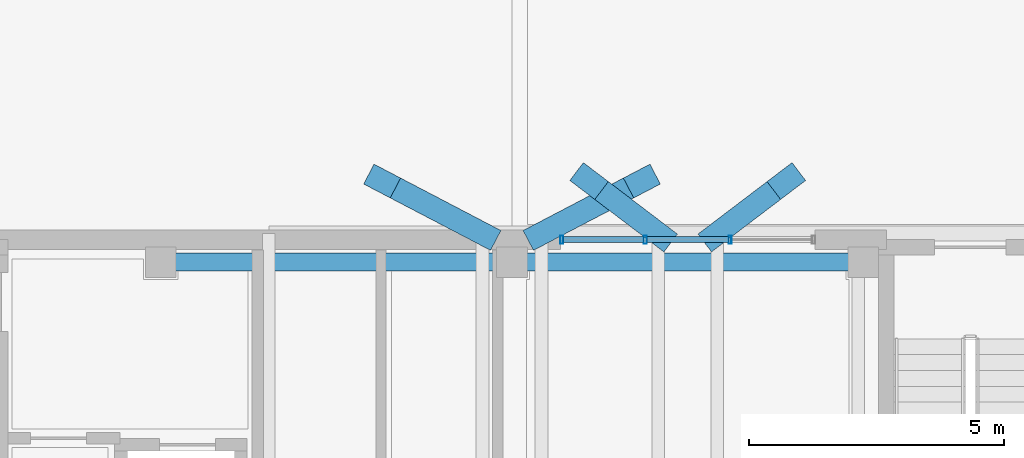
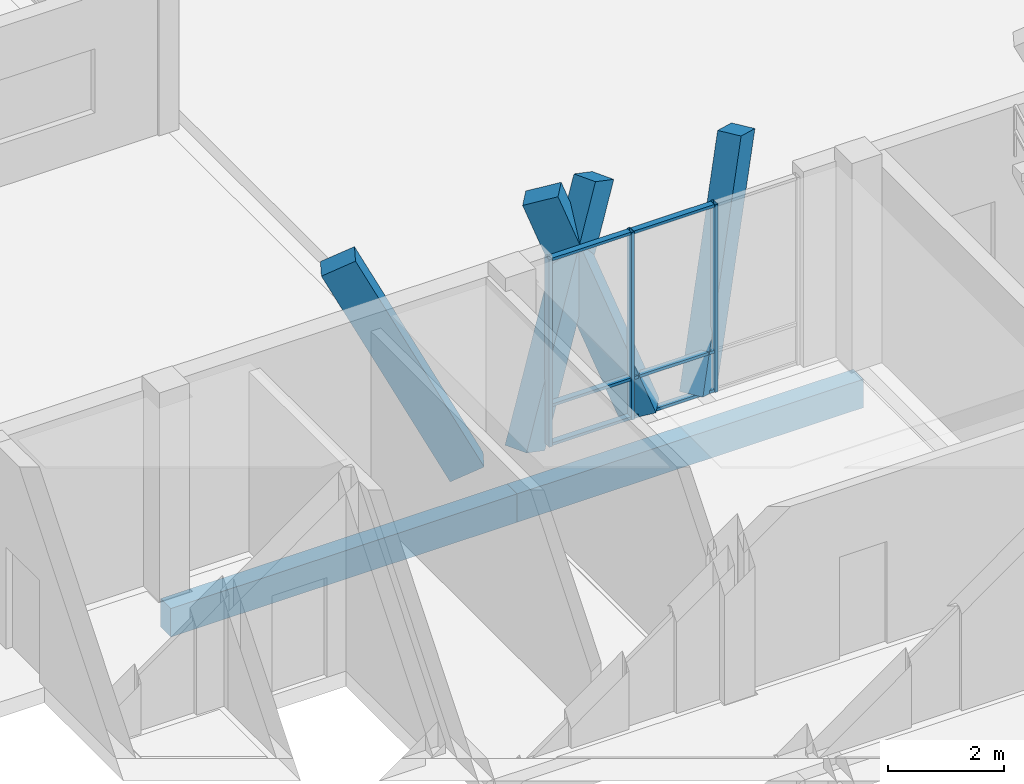
# One storey, part 31 of 233: 13 members, 2 beams, 1 element without a shape of its own.
"""IFC4 building model written with IfcOpenShell, lengths in metres."""

from ifc_helpers import new_model, si_unit, direction, frame, origin, origin_2d, place, context, subcontext, project, spatial, rectangle, hollow_rectangle, extrude, material, material_profile, profile_set, type_object, element, aggregate, save


model = new_model("IFC4")

# Units and contexts
model_context = context("Model", 3, precision=1e-05, world=origin(), true_north=direction((0.0, 1.0)))
body_context = subcontext(model_context, "Body", "Model", "MODEL_VIEW")
ifc_project = project(units=[si_unit("LENGTHUNIT", "METRE"), si_unit("AREAUNIT", "SQUARE_METRE"), si_unit("VOLUMEUNIT", "CUBIC_METRE"), si_unit("PLANEANGLEUNIT", "RADIAN"), si_unit("MASSUNIT", "GRAM", prefix="KILO")], contexts=[model_context])

# Site, building, storey
site_placement = place(None, origin())
site = spatial("IfcSite", under=ifc_project, at=site_placement, CompositionType="ELEMENT")
building_placement = place(site_placement, origin())
building = spatial("IfcBuilding", under=site, at=building_placement, Name="Zavelmont Quarter", CompositionType="ELEMENT")
storey_placement = place(building_placement, origin())
storey = spatial("IfcBuildingStorey", under=building, at=storey_placement, Name="L00", CompositionType="ELEMENT", Elevation=0.0)

# Beams
ifc_material_1 = material(Name="Concrete C35/45", Category="concrete")
ifc_material_profile_1 = material_profile(ifc_material_1, rectangle(XDim=0.35009765625, YDim=0.60009765625, at=origin_2d()), Name="RC350X600")
ifc_profile_set_1 = profile_set([ifc_material_profile_1], Name="Concrete C35/45")
beam_type = type_object("IfcBeamType", Name="BM01", PredefinedType="SPANDREL", material=ifc_profile_set_1)
beam_1_placement = place(storey_placement, frame((13.800048828125, 17.9599609375, -0.6201171875), z_axis=(1.0, 0.0, 0.0), x_axis=(0.0, 1.0, 0.0)))
element("IfcBeam", 1, at=beam_1_placement, inside=storey, type_object=beam_type, Name="L00 beam BM01 3/D to 4/D", PredefinedType="SPANDREL", context=body_context, shape_type="SweptSolid", body=[
    extrude(rectangle(XDim=0.35009765625, YDim=0.60009765625, at=origin_2d()), origin(), (0.0, 0.0, 1.0), 6.89990234375),
])
beam_2_placement = place(storey_placement, frame((20.699951171875, 17.9599609375, -0.6201171875), z_axis=(1.0, 0.0, 0.0), x_axis=(0.0, 1.0, 0.0)))
element("IfcBeam", 2, at=beam_2_placement, inside=storey, type_object=beam_type, Name="L00 beam BM01 4/D to 5/D", PredefinedType="SPANDREL", context=body_context, shape_type="SweptSolid", body=[
    extrude(rectangle(XDim=0.35009765625, YDim=0.60009765625, at=origin_2d()), origin(), (0.0, 0.0, 1.0), 6.900146484375),
])

# Curtain wall, members
ifc_material_2 = material(Name="Thermally broken aluminium and double low-E safety glazing", Category="aluminium")
curtain_wall_type = type_object("IfcCurtainWallType", Name="CW-500X395", PredefinedType="NOTDEFINED", material=ifc_material_2)
curtain_wall_placement = place(storey_placement, origin())
curtain_wall = element("IfcCurtainWall", 3, at=curtain_wall_placement, inside=storey, type_object=curtain_wall_type, Name="L00 unitised curtain wall CW-500X395", PredefinedType="NOTDEFINED")
ifc_material_3 = material(Name="Powder-coated aluminium EN AW-6063-T6", Category="aluminium")
ifc_material_profile_2 = material_profile(ifc_material_3, hollow_rectangle(XDim=0.06005859375, YDim=0.159912109375, WallThickness=0.00390625, at=origin_2d()), Name="CWM60X160")
ifc_profile_set_2 = profile_set([ifc_material_profile_2], Name="Powder-coated aluminium EN AW-6063-T6")
member_type_1 = type_object("IfcMemberType", Name="CWM01", PredefinedType="MULLION", material=ifc_profile_set_2)
member_1_placement = place(storey_placement, frame((21.679931640625, 18.39990234375, 0.0), z_axis=(0.0, 0.0, 1.0), x_axis=(1.0, 0.0, 0.0)))
member_1 = element("IfcMember", 4, at=member_1_placement, type_object=member_type_1, Name="CW-500X395 mullion 1", PredefinedType="MULLION", context=body_context, shape_type="SweptSolid", body=[
    extrude(hollow_rectangle(XDim=0.06005859375, YDim=0.159912109375, WallThickness=0.00390625, at=origin_2d()), origin(), (0.0, 0.0, 1.0), 3.949951171875),
])
member_2_placement = place(storey_placement, frame((23.316650390625, 18.39990234375, 0.0), z_axis=(0.0, 0.0, 1.0), x_axis=(1.0, 0.0, 0.0)))
member_2 = element("IfcMember", 5, at=member_2_placement, type_object=member_type_1, Name="CW-500X395 mullion 2", PredefinedType="MULLION", context=body_context, shape_type="SweptSolid", body=[
    extrude(hollow_rectangle(XDim=0.06005859375, YDim=0.159912109375, WallThickness=0.00390625, at=origin_2d()), origin(), (0.0, 0.0, 1.0), 3.949951171875),
])
member_3_placement = place(storey_placement, frame((24.9833984375, 18.39990234375, 0.0), z_axis=(0.0, 0.0, 1.0), x_axis=(1.0, 0.0, 0.0)))
member_3 = element("IfcMember", 6, at=member_3_placement, type_object=member_type_1, Name="CW-500X395 mullion 3", PredefinedType="MULLION", context=body_context, shape_type="SweptSolid", body=[
    extrude(hollow_rectangle(XDim=0.06005859375, YDim=0.159912109375, WallThickness=0.00390625, at=origin_2d()), origin(), (0.0, 0.0, 1.0), 3.949951171875),
])
ifc_material_profile_3 = material_profile(ifc_material_3, hollow_rectangle(XDim=0.1201171875, YDim=0.06005859375, WallThickness=0.00390625, at=origin_2d()), Name="CWT60X120")
ifc_profile_set_3 = profile_set([ifc_material_profile_3], Name="Powder-coated aluminium EN AW-6063-T6")
member_type_2 = type_object("IfcMemberType", Name="CWT01", PredefinedType="NOTDEFINED", material=ifc_profile_set_3)
member_4_placement = place(storey_placement, frame((21.7099609375, 18.39990234375, 0.030029296875), z_axis=(1.0, 0.0, 0.0), x_axis=(0.0, 1.0, 0.0)))
member_4 = element("IfcMember", 7, at=member_4_placement, type_object=member_type_2, Name="CW-500X395 transom 1.1", ObjectType="TRANSOM", PredefinedType="USERDEFINED", context=body_context, shape_type="SweptSolid", body=[
    extrude(hollow_rectangle(XDim=0.1201171875, YDim=0.06005859375, WallThickness=0.00390625, at=origin_2d()), origin(), (0.0, 0.0, 1.0), 1.57666015625),
])
member_5_placement = place(storey_placement, frame((21.7099609375, 18.39990234375, 0.85009765625), z_axis=(1.0, 0.0, 0.0), x_axis=(0.0, 1.0, 0.0)))
member_5 = element("IfcMember", 8, at=member_5_placement, type_object=member_type_2, Name="CW-500X395 transom 1.2", ObjectType="TRANSOM", PredefinedType="USERDEFINED", context=body_context, shape_type="SweptSolid", body=[
    extrude(hollow_rectangle(XDim=0.1201171875, YDim=0.06005859375, WallThickness=0.00390625, at=origin_2d()), origin(), (0.0, 0.0, 1.0), 1.57666015625),
])
member_6_placement = place(storey_placement, frame((21.7099609375, 18.39990234375, 3.919921875), z_axis=(1.0, 0.0, 0.0), x_axis=(0.0, 1.0, 0.0)))
member_6 = element("IfcMember", 9, at=member_6_placement, type_object=member_type_2, Name="CW-500X395 transom 1.3", ObjectType="TRANSOM", PredefinedType="USERDEFINED", context=body_context, shape_type="SweptSolid", body=[
    extrude(hollow_rectangle(XDim=0.1201171875, YDim=0.06005859375, WallThickness=0.00390625, at=origin_2d()), origin(), (0.0, 0.0, 1.0), 1.57666015625),
])
member_7_placement = place(storey_placement, frame((23.3466796875, 18.39990234375, 0.030029296875), z_axis=(1.0, 0.0, 0.0), x_axis=(0.0, 1.0, 0.0)))
member_7 = element("IfcMember", 10, at=member_7_placement, type_object=member_type_2, Name="CW-500X395 transom 2.1", ObjectType="TRANSOM", PredefinedType="USERDEFINED", context=body_context, shape_type="SweptSolid", body=[
    extrude(hollow_rectangle(XDim=0.1201171875, YDim=0.06005859375, WallThickness=0.00390625, at=origin_2d()), origin(), (0.0, 0.0, 1.0), 1.606689453125),
])
member_8_placement = place(storey_placement, frame((23.3466796875, 18.39990234375, 0.85009765625), z_axis=(1.0, 0.0, 0.0), x_axis=(0.0, 1.0, 0.0)))
member_8 = element("IfcMember", 11, at=member_8_placement, type_object=member_type_2, Name="CW-500X395 transom 2.2", ObjectType="TRANSOM", PredefinedType="USERDEFINED", context=body_context, shape_type="SweptSolid", body=[
    extrude(hollow_rectangle(XDim=0.1201171875, YDim=0.06005859375, WallThickness=0.00390625, at=origin_2d()), origin(), (0.0, 0.0, 1.0), 1.606689453125),
])
member_9_placement = place(storey_placement, frame((23.3466796875, 18.39990234375, 3.919921875), z_axis=(1.0, 0.0, 0.0), x_axis=(0.0, 1.0, 0.0)))
member_9 = element("IfcMember", 12, at=member_9_placement, type_object=member_type_2, Name="CW-500X395 transom 2.3", ObjectType="TRANSOM", PredefinedType="USERDEFINED", context=body_context, shape_type="SweptSolid", body=[
    extrude(hollow_rectangle(XDim=0.1201171875, YDim=0.06005859375, WallThickness=0.00390625, at=origin_2d()), origin(), (0.0, 0.0, 1.0), 1.606689453125),
])
aggregate(curtain_wall, [member_1, member_2, member_3, member_4, member_5, member_6, member_7, member_8, member_9])

# Members
ifc_material_4 = material(Name="White architectural precast concrete C40/50", Category="concrete")
ifc_material_profile_4 = material_profile(ifc_material_4, rectangle(XDim=0.43994140625, YDim=0.659912109375, at=origin_2d()), Name="PCR320X480")
ifc_profile_set_4 = profile_set([ifc_material_profile_4], Name="White architectural precast concrete C40/50")
member_type_3 = type_object("IfcMemberType", Name="VR01M", PredefinedType="CHORD", material=ifc_profile_set_4)
for number, where, z_axis, x_axis, name in (
    (13, (20.1201171875, 18.52001953125, 0.0), (-0.399579764361, 0.208952283817, 0.892566498924), (-0.463395363063, -0.886151644749, 0.0), "L00 member VR01M 4/D to 4/D"),
    (14, (21.280029296875, 18.52001953125, 0.0), (0.399538144228, 0.208956418805, 0.892584162053), (-0.463440469486, 0.886128055781, 0.0), "L00 member VR01M 4/D to 4/D"),
):
    element("IfcMember", number, at=place(storey_placement, frame(where, z_axis=z_axis, x_axis=x_axis)), inside=storey, type_object=member_type_3, Name=name, PredefinedType="CHORD", context=body_context, shape_type="SweptSolid", body=[
        extrude(rectangle(XDim=0.43994140625, YDim=0.659912109375, at=origin_2d()), origin(), (0.0, 0.0, 1.0), 4.929443359375),
    ])
for number, where, z_axis, x_axis, name in (
    (15, (23.570068359375, 18.52001953125, 0.0), (-0.287500941579, 0.218316499734, 0.93256694909), (-0.60475975322, -0.79640796134, 0.0), "L00 member VR01M 4/D to 4/D"),
    (16, (24.72998046875, 18.52001953125, 0.0), (0.287500941579, 0.218316499734, 0.93256694909), (-0.60475975322, 0.79640796134, 0.0), "L00 member VR01M 5/D to 5/D"),
):
    element("IfcMember", number, at=place(storey_placement, frame(where, z_axis=z_axis, x_axis=x_axis)), inside=storey, type_object=member_type_3, Name=name, PredefinedType="CHORD", context=body_context, shape_type="SweptSolid", body=[
        extrude(rectangle(XDim=0.43994140625, YDim=0.659912109375, at=origin_2d()), origin(), (0.0, 0.0, 1.0), 4.718017578125),
    ])

save(model, "model.ifc")
